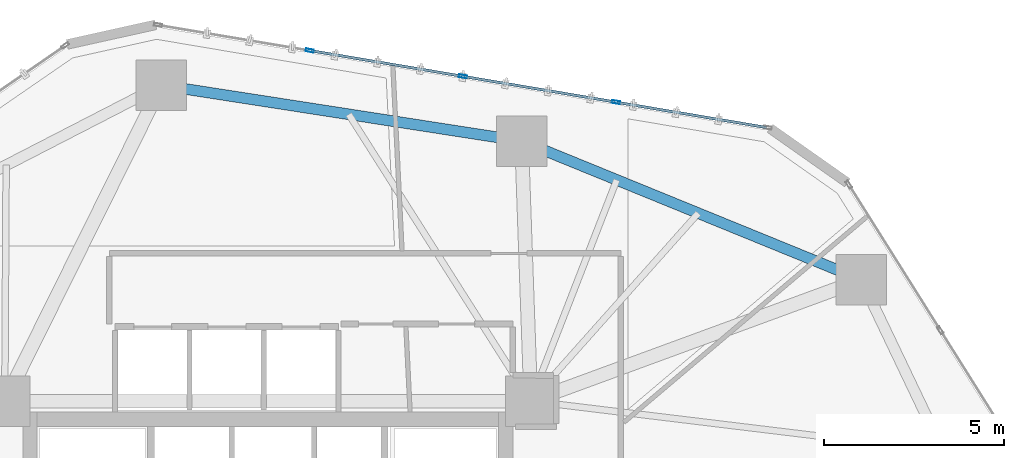
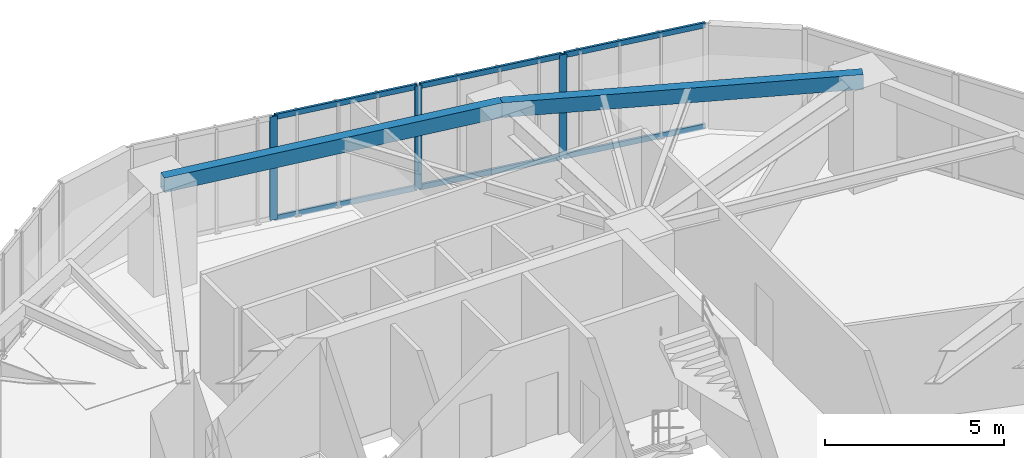
# One storey, part 14 of 21: 9 members, 2 beams, 1 element without a shape of its own.
"""IFC4 building model written with IfcOpenShell, lengths in metres."""

from ifc_helpers import new_model, si_unit, direction, frame, origin, origin_2d, place, context, subcontext, project, spatial, hollow_rectangle, extrude, source, transform, mapped, material, layer, layer_set, material_profile, profile_set, type_object, type_shapes, element, aggregate, save


model = new_model("IFC4")

# Units and contexts
model_context = context("Model", 3, precision=1e-05, world=origin(), true_north=direction((0.0, 1.0)))
body_context = subcontext(model_context, "Body", "Model", "MODEL_VIEW")
ifc_project = project(units=[si_unit("LENGTHUNIT", "METRE"), si_unit("AREAUNIT", "SQUARE_METRE"), si_unit("VOLUMEUNIT", "CUBIC_METRE"), si_unit("PLANEANGLEUNIT", "RADIAN"), si_unit("MASSUNIT", "GRAM", prefix="KILO")], contexts=[model_context])

# Site, building, storey
site_placement = place(None, origin())
site = spatial("IfcSite", under=ifc_project, at=site_placement, CompositionType="ELEMENT")
building_placement = place(site_placement, origin())
building = spatial("IfcBuilding", under=site, at=building_placement, Name="Talar Marvaseh", CompositionType="ELEMENT")
storey_placement = place(building_placement, frame((0.0, 0.0, 62.0)))
storey = spatial("IfcBuildingStorey", under=building, at=storey_placement, Name="L15", CompositionType="ELEMENT", Elevation=62.0)

# Beams
ifc_material_1 = material(Name="Steel S355", Category="steel")
ifc_material_profile_1 = material_profile(ifc_material_1, hollow_rectangle(XDim=0.300048828125, YDim=0.5, WallThickness=0.02001953125, at=origin_2d()), Name="RHS500x300x20")
ifc_profile_set_1 = profile_set([ifc_material_profile_1], Name="Steel S355")
beam_type = type_object("IfcBeamType", Name="Zone 1 Perimeter Spandrel Beam RHS500x300x20", PredefinedType="SPANDREL", material=ifc_profile_set_1)
beam_1_placement = place(storey_placement, frame((23.047119140625, 45.6669921875, 3.27001953125), z_axis=(0.988210751461, -0.153099675693, 0.0), x_axis=(0.153099675693, 0.988210751461, 0.0)))
element("IfcBeam", 1, at=beam_1_placement, inside=storey, type_object=beam_type, Name="L15 Zone 1 Perimeter Spandrel Beam RHS500x300x20", PredefinedType="SPANDREL", context=body_context, shape_type="SweptSolid", body=[
    extrude(hollow_rectangle(XDim=0.300048828125, YDim=0.5, WallThickness=0.02001953125, at=origin_2d()), origin(), (0.0, 0.0, 1.0), 10.1181640625),
])
beam_2_placement = place(storey_placement, frame((33.0458984375, 44.117919921875, 3.27001953125), z_axis=(0.92586732306, -0.377848779395, 0.0), x_axis=(0.377848779395, 0.92586732306, 0.0)))
element("IfcBeam", 2, at=beam_2_placement, inside=storey, type_object=beam_type, Name="L15 Zone 1 Perimeter Spandrel Beam RHS500x300x20", PredefinedType="SPANDREL", context=body_context, shape_type="SweptSolid", body=[
    extrude(hollow_rectangle(XDim=0.300048828125, YDim=0.5, WallThickness=0.02001953125, at=origin_2d()), origin(), (0.0, 0.0, 1.0), 10.186279296875),
])

# Curtain wall, members
ifc_material_2 = material(Name="Architectural Aluminium", Category="aluminium")
ifc_layer = layer(ifc_material_2, 0.219970703125)
ifc_layer_set = layer_set([ifc_layer], Name="Architectural Aluminium")
curtain_wall_type = type_object("IfcCurtainWallType", Name="Unitised Low-E Museum Curtain Wall Z1", PredefinedType="NOTDEFINED", material=ifc_layer_set)
curtain_wall_placement = place(storey_placement, origin())
curtain_wall = element("IfcCurtainWall", 3, at=curtain_wall_placement, inside=storey, type_object=curtain_wall_type, Name="L15 Unitised Low-E Museum Curtain Wall Z1", PredefinedType="NOTDEFINED")
ifc_material_profile_2 = material_profile(ifc_material_2, hollow_rectangle(XDim=0.080078125, YDim=0.219970703125, WallThickness=0.0048828125, at=origin_2d()), Name="RHS220x80x5")
ifc_profile_set_2 = profile_set([ifc_material_profile_2], Name="Architectural Aluminium")
member_type_1 = type_object("IfcMemberType", Name="Unitised Curtain Wall Heavy Mullion RHS220x80x5", PredefinedType="MULLION", material=ifc_profile_set_2)
shared_shape_1 = source(origin(), body_context, "Body", "SweptSolid", [
    extrude(hollow_rectangle(XDim=0.080078125, YDim=0.219970703125, WallThickness=0.0048828125, at=origin_2d()), origin(), (0.0, 0.0, 1.0), 3.52001953125),
])
type_shapes(member_type_1, [shared_shape_1])
member_1_placement = place(storey_placement, frame((27.16357421875, 46.630859375, 0.0), z_axis=(0.0, 0.0, 1.0), x_axis=(0.166215185742, 0.98608950508, 0.0)))
member_1 = element("IfcMember", 4, at=member_1_placement, type_object=member_type_1, Name="CW-Z1 mullion 2", PredefinedType="MULLION", context=body_context, shape_type="MappedRepresentation", body=[
    mapped(shared_shape_1, transform((0.0, 0.0, 0.0), x_axis=(1.0, 0.0, 0.0), y_axis=(0.0, 1.0, 0.0), z_axis=(0.0, 0.0, 1.0), scale=1.0)),
])
member_2_placement = place(storey_placement, frame((31.415283203125, 45.914306640625, 0.0), z_axis=(0.0, 0.0, 1.0), x_axis=(0.166215185742, 0.98608950508, 0.0)))
member_2 = element("IfcMember", 5, at=member_2_placement, type_object=member_type_1, Name="CW-Z1 mullion 3", PredefinedType="MULLION", context=body_context, shape_type="MappedRepresentation", body=[
    mapped(shared_shape_1, transform((0.0, 0.0, 0.0), x_axis=(1.0, 0.0, 0.0), y_axis=(0.0, 1.0, 0.0), z_axis=(0.0, 0.0, 1.0), scale=1.0)),
])
member_3_placement = place(storey_placement, frame((35.667236328125, 45.197509765625, 0.0), z_axis=(0.0, 0.0, 1.0), x_axis=(0.166215185742, 0.98608950508, 0.0)))
member_3 = element("IfcMember", 6, at=member_3_placement, type_object=member_type_1, Name="CW-Z1 mullion 4", PredefinedType="MULLION", context=body_context, shape_type="MappedRepresentation", body=[
    mapped(shared_shape_1, transform((0.0, 0.0, 0.0), x_axis=(1.0, 0.0, 0.0), y_axis=(0.0, 1.0, 0.0), z_axis=(0.0, 0.0, 1.0), scale=1.0)),
])
ifc_material_profile_3 = material_profile(ifc_material_2, hollow_rectangle(XDim=0.074951171875, YDim=0.179931640625, WallThickness=0.0048828125, at=origin_2d()), Name="RHS180x75x5")
ifc_profile_set_3 = profile_set([ifc_material_profile_3], Name="Architectural Aluminium")
member_type_2 = type_object("IfcMemberType", Name="Unitised Curtain Wall Transom RHS180x75x5", PredefinedType="USERDEFINED", material=ifc_profile_set_3)
shared_shape_2 = source(origin(), body_context, "Body", "SweptSolid", [
    extrude(hollow_rectangle(XDim=0.074951171875, YDim=0.179931640625, WallThickness=0.0048828125, at=origin_2d()), origin(), (0.0, 0.0, 1.0), 4.19189453125),
])
member_4_placement = place(storey_placement, frame((35.706787109375, 45.19091796875, 0.03759765625), z_axis=(0.986088438856, -0.166221511104, 0.0), x_axis=(0.166221511104, 0.986088438856, 0.0)))
member_4 = element("IfcMember", 7, at=member_4_placement, type_object=member_type_2, Name="CW-Z1 transom 4.1", ObjectType="TRANSOM", PredefinedType="USERDEFINED", context=body_context, shape_type="MappedRepresentation", body=[
    mapped(shared_shape_2, transform((0.0, 0.0, 0.0), x_axis=(1.0, 0.0, 0.0), y_axis=(0.0, 1.0, 0.0), z_axis=(0.0, 0.0, 1.0), scale=1.0)),
])
member_5_placement = place(storey_placement, frame((35.706787109375, 45.19091796875, 3.482421875), z_axis=(0.986088438856, -0.166221511104, 0.0), x_axis=(0.166221511104, 0.986088438856, 0.0)))
member_5 = element("IfcMember", 8, at=member_5_placement, type_object=member_type_2, Name="CW-Z1 transom 4.2", ObjectType="TRANSOM", PredefinedType="USERDEFINED", context=body_context, shape_type="MappedRepresentation", body=[
    mapped(shared_shape_2, transform((0.0, 0.0, 0.0), x_axis=(1.0, 0.0, 0.0), y_axis=(0.0, 1.0, 0.0), z_axis=(0.0, 0.0, 1.0), scale=1.0)),
])
shared_shape_3 = source(origin(), body_context, "Body", "SweptSolid", [
    extrude(hollow_rectangle(XDim=0.074951171875, YDim=0.179931640625, WallThickness=0.0048828125, at=origin_2d()), origin(), (0.0, 0.0, 1.0), 4.23193359375),
])
type_shapes(member_type_2, [shared_shape_2, shared_shape_3])
member_6_placement = place(storey_placement, frame((27.202880859375, 46.624267578125, 0.03759765625), z_axis=(0.986091349023, -0.16620424598, 0.0), x_axis=(0.16620424598, 0.986091349023, 0.0)))
member_6 = element("IfcMember", 9, at=member_6_placement, type_object=member_type_2, Name="CW-Z1 transom 2.1", ObjectType="TRANSOM", PredefinedType="USERDEFINED", context=body_context, shape_type="MappedRepresentation", body=[
    mapped(shared_shape_3, transform((0.0, 0.0, 0.0), x_axis=(1.0, 0.0, 0.0), y_axis=(0.0, 1.0, 0.0), z_axis=(0.0, 0.0, 1.0), scale=1.0)),
])
member_7_placement = place(storey_placement, frame((27.202880859375, 46.624267578125, 3.482421875), z_axis=(0.986091349023, -0.16620424598, 0.0), x_axis=(0.16620424598, 0.986091349023, 0.0)))
member_7 = element("IfcMember", 10, at=member_7_placement, type_object=member_type_2, Name="CW-Z1 transom 2.2", ObjectType="TRANSOM", PredefinedType="USERDEFINED", context=body_context, shape_type="MappedRepresentation", body=[
    mapped(shared_shape_3, transform((0.0, 0.0, 0.0), x_axis=(1.0, 0.0, 0.0), y_axis=(0.0, 1.0, 0.0), z_axis=(0.0, 0.0, 1.0), scale=1.0)),
])
member_8_placement = place(storey_placement, frame((31.454833984375, 45.907470703125, 0.03759765625), z_axis=(0.986091349023, -0.16620424598, 0.0), x_axis=(0.16620424598, 0.986091349023, 0.0)))
member_8 = element("IfcMember", 11, at=member_8_placement, type_object=member_type_2, Name="CW-Z1 transom 3.1", ObjectType="TRANSOM", PredefinedType="USERDEFINED", context=body_context, shape_type="MappedRepresentation", body=[
    mapped(shared_shape_3, transform((0.0, 0.0, 0.0), x_axis=(1.0, 0.0, 0.0), y_axis=(0.0, 1.0, 0.0), z_axis=(0.0, 0.0, 1.0), scale=1.0)),
])
member_9_placement = place(storey_placement, frame((31.454833984375, 45.907470703125, 3.482421875), z_axis=(0.986091349023, -0.16620424598, 0.0), x_axis=(0.16620424598, 0.986091349023, 0.0)))
member_9 = element("IfcMember", 12, at=member_9_placement, type_object=member_type_2, Name="CW-Z1 transom 3.2", ObjectType="TRANSOM", PredefinedType="USERDEFINED", context=body_context, shape_type="MappedRepresentation", body=[
    mapped(shared_shape_3, transform((0.0, 0.0, 0.0), x_axis=(1.0, 0.0, 0.0), y_axis=(0.0, 1.0, 0.0), z_axis=(0.0, 0.0, 1.0), scale=1.0)),
])
aggregate(curtain_wall, [member_1, member_2, member_3, member_6, member_7, member_8, member_9, member_4, member_5])

save(model, "model.ifc")
